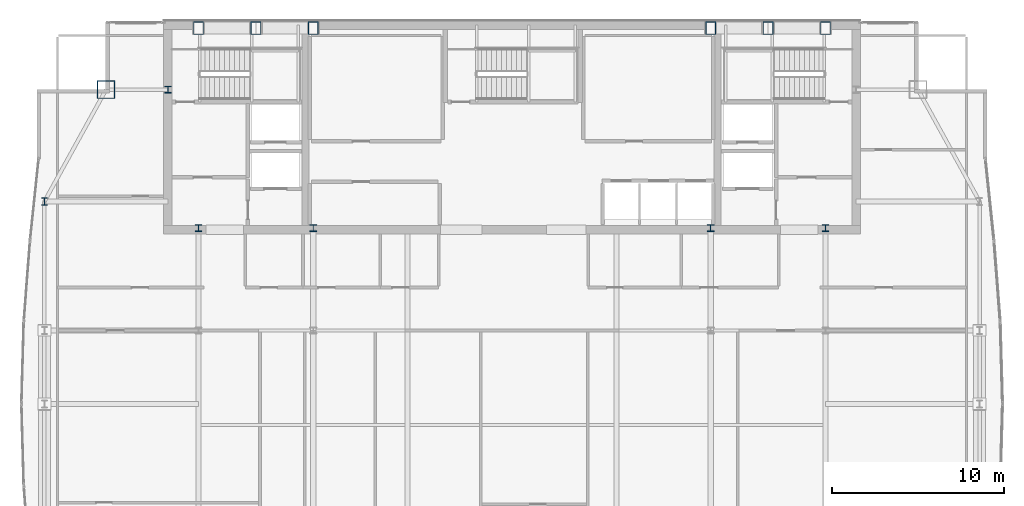
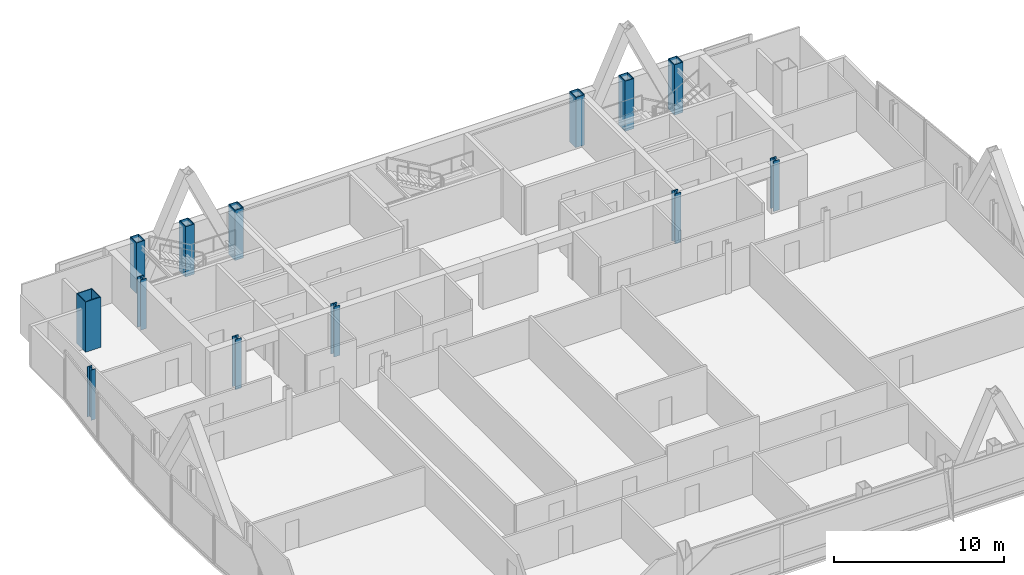
# One storey, part 3 of 30: 13 columns.
"""IFC4 building model written with IfcOpenShell, lengths in metres."""

from ifc_helpers import new_model, si_unit, direction, frame, origin, origin_2d, place, context, subcontext, project, spatial, hollow_rectangle, i_section, extrude, material, material_profile, profile_set, type_object, element, save


model = new_model("IFC4")

# Units and contexts
model_context = context("Model", 3, precision=1e-05, world=origin(), true_north=direction((0.0, 1.0)))
body_context = subcontext(model_context, "Body", "Model", "MODEL_VIEW")
ifc_project = project(units=[si_unit("LENGTHUNIT", "METRE"), si_unit("AREAUNIT", "SQUARE_METRE"), si_unit("VOLUMEUNIT", "CUBIC_METRE"), si_unit("PLANEANGLEUNIT", "RADIAN"), si_unit("MASSUNIT", "GRAM", prefix="KILO")], contexts=[model_context])

# Site, building, storey
site_placement = place(None, origin())
site = spatial("IfcSite", under=ifc_project, at=site_placement, CompositionType="ELEMENT")
building_placement = place(site_placement, origin())
building = spatial("IfcBuilding", under=site, at=building_placement, Name="Khoronbel Lancet Exchange", CompositionType="ELEMENT")
storey_placement = place(building_placement, frame((0.0, 0.0, 284.199951171875)))
storey = spatial("IfcBuildingStorey", under=building, at=storey_placement, Name="L73", CompositionType="ELEMENT", Elevation=284.199951171875)

# Columns
ifc_material_1 = material(Name="Steel S460", Category="steel")
ifc_material_profile_1 = material_profile(ifc_material_1, hollow_rectangle(XDim=0.60009765625, YDim=0.75, WallThickness=0.044921875, at=origin_2d()), Name="BOX 750x600x45")
ifc_profile_set_1 = profile_set([ifc_material_profile_1], Name="Steel S460")
column_type_1 = type_object("IfcColumnType", Name="COL-EC3", PredefinedType="COLUMN", material=ifc_profile_set_1)
for number, where, z_axis, x_axis, name in (
    (1, (18.22509765625, 53.280029296875, 0.0), (0.0, 0.0, 1.0), (1.0, 0.0, 0.0), "Structural column NC-W1 L73"),
    (2, (21.5625, 53.280029296875, 0.0), (0.0, 0.0, 1.0), (1.0, 0.0, 0.0), "Structural column NC-WM L73"),
    (3, (24.89990234375, 53.280029296875, 0.0), (0.0, 0.0, 1.0), (1.0, 0.0, 0.0), "Structural column NC-W2 L73"),
    (4, (48.0, 53.280029296875, 0.0), (0.0, 0.0, 1.0), (1.0, 0.0, 0.0), "Structural column NC-E1 L73"),
    (5, (51.33740234375, 53.280029296875, 0.0), (0.0, 0.0, 1.0), (1.0, 0.0, 0.0), "Structural column NC-EM L73"),
    (6, (54.675048828125, 53.280029296875, 0.0), (0.0, 0.0, 1.0), (1.0, 0.0, 0.0), "Structural column NC-E2 L73"),
):
    element("IfcColumn", number, at=place(storey_placement, frame(where, z_axis=z_axis, x_axis=x_axis)), inside=storey, type_object=column_type_1, Name=name, PredefinedType="COLUMN", context=body_context, shape_type="SweptSolid", body=[
        extrude(hollow_rectangle(XDim=0.60009765625, YDim=0.75, WallThickness=0.044921875, at=origin_2d()), origin(), (0.0, 0.0, 1.0), 3.60009765625),
    ])
ifc_material_2 = material(Name="Steel S355", Category="steel")
ifc_material_profile_2 = material_profile(ifc_material_2, i_section(OverallWidth=0.39892578125, OverallDepth=0.39306640625, WebThickness=0.022705078125, FlangeThickness=0.03662109375, at=origin_2d()), Name="HD 400x287")
ifc_profile_set_2 = profile_set([ifc_material_profile_2], Name="Steel S355")
column_type_2 = type_object("IfcColumnType", Name="COL-IC4", PredefinedType="COLUMN", material=ifc_profile_set_2)
for number, where, z_axis, x_axis, name in (
    (7, (16.449951171875, 49.699951171875, 0.0), (0.0, 0.0, 1.0), (1.0, 0.0, 0.0), "Core-flank plumb transfer column CFW L73"),
    (8, (18.22509765625, 41.64990234375, 0.0), (0.0, 0.0, 1.0), (1.0, 0.0, 0.0), "Core-embedded steel column CTC1 L73"),
    (9, (24.89990234375, 41.64990234375, 0.0), (0.0, 0.0, 1.0), (1.0, 0.0, 0.0), "Core-embedded steel column CTC2 L73"),
    (10, (48.0, 41.64990234375, 0.0), (0.0, 0.0, 1.0), (1.0, 0.0, 0.0), "Core-embedded steel column CTC3 L73"),
    (11, (54.675048828125, 41.64990234375, 0.0), (0.0, 0.0, 1.0), (1.0, 0.0, 0.0), "Core-embedded steel column CTC4 L73"),
):
    element("IfcColumn", number, at=place(storey_placement, frame(where, z_axis=z_axis, x_axis=x_axis)), inside=storey, type_object=column_type_2, Name=name, PredefinedType="COLUMN", context=body_context, shape_type="SweptSolid", body=[
        extrude(i_section(OverallWidth=0.39892578125, OverallDepth=0.39306640625, WebThickness=0.022705078125, FlangeThickness=0.03662109375, at=origin_2d()), origin(), (0.0, 0.0, 1.0), 3.60009765625),
    ])
ifc_material_profile_3 = material_profile(ifc_material_2, i_section(OverallWidth=0.300048828125, OverallDepth=0.449951171875, WebThickness=0.013916015625, FlangeThickness=0.02587890625, at=origin_2d()), Name="HEB 450")
ifc_profile_set_3 = profile_set([ifc_material_profile_3], Name="Steel S355")
column_type_3 = type_object("IfcColumnType", Name="COL-LC2", PredefinedType="COLUMN", material=ifc_profile_set_3)
column_1_placement = place(storey_placement, frame((9.27001953125, 43.199951171875, 0.0), z_axis=(0.0, 0.0, 1.0), x_axis=(1.0, 0.0, 0.0)))
element("IfcColumn", 12, at=column_1_placement, inside=storey, type_object=column_type_3, Name="Structural column WC-4 L73", PredefinedType="COLUMN", context=body_context, shape_type="SweptSolid", body=[
    extrude(i_section(OverallWidth=0.300048828125, OverallDepth=0.449951171875, WebThickness=0.013916015625, FlangeThickness=0.02587890625, at=origin_2d()), origin(), (0.0, 0.0, 1.0), 3.60009765625),
])
ifc_material_profile_4 = material_profile(ifc_material_1, hollow_rectangle(XDim=1.050048828125, YDim=1.050048828125, WallThickness=0.054931640625, at=origin_2d()), Name="BOX 1050x1050x55")
ifc_profile_set_4 = profile_set([ifc_material_profile_4], Name="Steel S460")
column_type_4 = type_object("IfcColumnType", Name="COL-MC6", PredefinedType="COLUMN", material=ifc_profile_set_4)
column_2_placement = place(storey_placement, frame((12.85009765625, 49.699951171875, 0.0), z_axis=(0.0, 0.0, 1.0), x_axis=(1.0, 0.0, 0.0)))
element("IfcColumn", 13, at=column_2_placement, inside=storey, type_object=column_type_4, Name="Structural column MC-NW L73", PredefinedType="COLUMN", context=body_context, shape_type="SweptSolid", body=[
    extrude(hollow_rectangle(XDim=1.050048828125, YDim=1.050048828125, WallThickness=0.054931640625, at=origin_2d()), origin(), (0.0, 0.0, 1.0), 3.60009765625),
])

save(model, "model.ifc")
